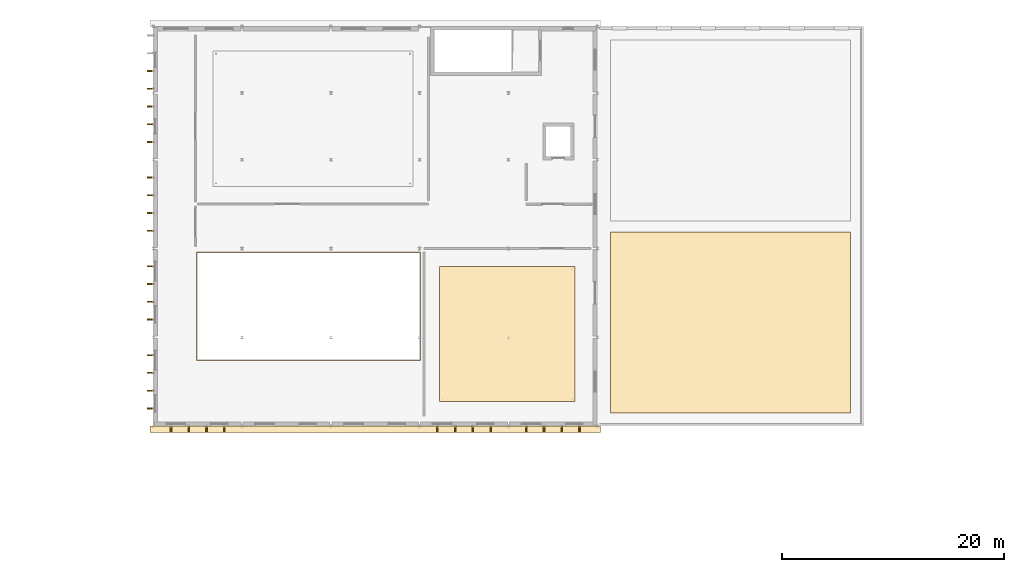
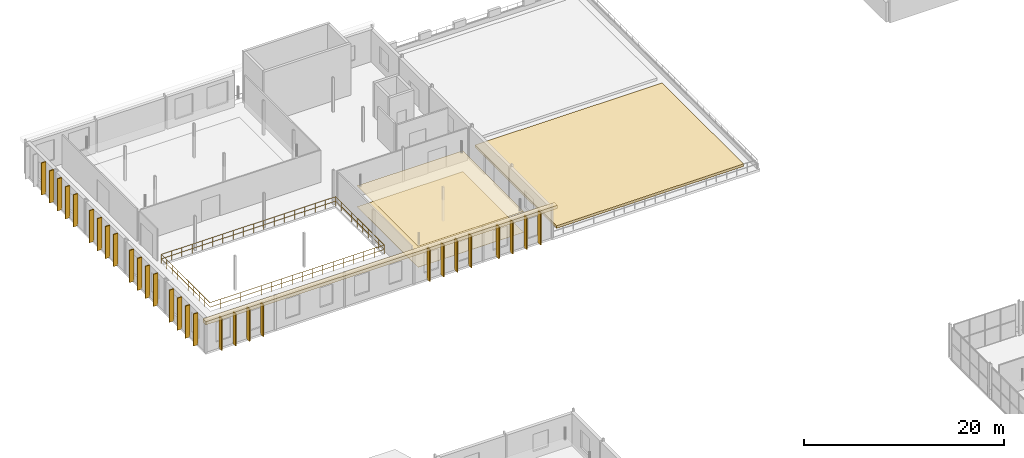
# One storey, part 62 of 67: 33 coverings, 29 shading devices, 1 railing.
"""IFC4 building model written with IfcOpenShell, lengths in metres."""

from ifc_helpers import new_model, si_unit, direction, frame, origin, origin_2d, place, context, subcontext, project, spatial, polyline, rectangle, circle, outline, extrude, material, layer, layer_set, type_object, element, save


model = new_model("IFC4")

# Units and contexts
model_context = context("Model", 3, precision=1e-05, world=origin(), true_north=direction((0.0, 1.0)))
body_context = subcontext(model_context, "Body", "Model", "MODEL_VIEW")
ifc_project = project(units=[si_unit("LENGTHUNIT", "METRE"), si_unit("AREAUNIT", "SQUARE_METRE"), si_unit("VOLUMEUNIT", "CUBIC_METRE"), si_unit("PLANEANGLEUNIT", "RADIAN"), si_unit("MASSUNIT", "GRAM", prefix="KILO")], contexts=[model_context])

# Site, building, storey
site_placement = place(None, origin())
site = spatial("IfcSite", under=ifc_project, at=site_placement, CompositionType="ELEMENT")
building_placement = place(site_placement, origin())
building = spatial("IfcBuilding", under=site, at=building_placement, Name="Sundkrona Museum", CompositionType="ELEMENT")
storey_placement = place(building_placement, frame((0.0, 0.0, 21.800048828125)))
storey = spatial("IfcBuildingStorey", under=building, at=storey_placement, Name="L04", CompositionType="ELEMENT", Elevation=21.800048828125)

# Coverings
ifc_material_1 = material(Name="Perforated Acoustic Gypsum and Mineral Wool Ceiling", Category="other")
ifc_layer_1 = layer(ifc_material_1, 0.0400390625)
ifc_layer_set_1 = layer_set([ifc_layer_1], Name="Perforated Acoustic Gypsum and Mineral Wool Ceiling")
covering_type_1 = type_object("IfcCoveringType", Name="COV-CEIL-AC", PredefinedType="CEILING", material=ifc_layer_set_1)
covering_1_placement = place(storey_placement, frame((0.0, 0.0, 2.550048828125)))
element("IfcCovering", 1, at=covering_1_placement, inside=storey, type_object=covering_type_1, Name="L04 Botanical Illustration Gallery Acoustic Ceiling", PredefinedType="CEILING", context=body_context, shape_type="SweptSolid", body=[
    extrude(outline(polyline([(41.800048828125, 80.199951171875), (54.0, 80.199951171875), (54.0, 92.39990234375), (41.800048828125, 92.39990234375), (41.800048828125, 80.199951171875)])), origin(), (0.0, 0.0, 1.0), 0.039794921875),
])
ifc_material_2 = material(Name="Frost-Resistant Vitrified Stoneware Mosaic Cladding", Category="masonry")
ifc_layer_2 = layer(ifc_material_2, 0.044921875)
ifc_layer_set_2 = layer_set([ifc_layer_2], Name="Frost-Resistant Vitrified Stoneware Mosaic Cladding")
covering_type_2 = type_object("IfcCoveringType", Name="COV-CLD-MOS", PredefinedType="CLADDING", material=ifc_layer_set_2)
for number, where, z_axis, x_axis, name in (
    (2, (17.60009765625, 77.7451171875, 0.0), (0.0, 0.0, 1.0), (1.0, 0.0, 0.0), "L04 Vitrified Ceramic Brise-Soleil Casing S-133"),
    (3, (19.199951171875, 77.7451171875, 0.0), (0.0, 0.0, 1.0), (1.0, 0.0, 0.0), "L04 Vitrified Ceramic Brise-Soleil Casing S-134"),
    (4, (20.800048828125, 77.7451171875, 0.0), (0.0, 0.0, 1.0), (1.0, 0.0, 0.0), "L04 Vitrified Ceramic Brise-Soleil Casing S-135"),
    (5, (22.39990234375, 77.7451171875, 0.0), (0.0, 0.0, 1.0), (1.0, 0.0, 0.0), "L04 Vitrified Ceramic Brise-Soleil Casing S-136"),
    (6, (41.60009765625, 77.7451171875, 0.0), (0.0, 0.0, 1.0), (1.0, 0.0, 0.0), "L04 Vitrified Ceramic Brise-Soleil Casing S-137"),
    (7, (43.199951171875, 77.7451171875, 0.0), (0.0, 0.0, 1.0), (1.0, 0.0, 0.0), "L04 Vitrified Ceramic Brise-Soleil Casing S-138"),
    (8, (44.800048828125, 77.7451171875, 0.0), (0.0, 0.0, 1.0), (1.0, 0.0, 0.0), "L04 Vitrified Ceramic Brise-Soleil Casing S-139"),
    (9, (46.39990234375, 77.7451171875, 0.0), (0.0, 0.0, 1.0), (1.0, 0.0, 0.0), "L04 Vitrified Ceramic Brise-Soleil Casing S-140"),
    (10, (49.60009765625, 77.7451171875, 0.0), (0.0, 0.0, 1.0), (1.0, 0.0, 0.0), "L04 Vitrified Ceramic Brise-Soleil Casing S-141"),
    (11, (51.199951171875, 77.7451171875, 0.0), (0.0, 0.0, 1.0), (1.0, 0.0, 0.0), "L04 Vitrified Ceramic Brise-Soleil Casing S-142"),
    (12, (52.800048828125, 77.7451171875, 0.0), (0.0, 0.0, 1.0), (1.0, 0.0, 0.0), "L04 Vitrified Ceramic Brise-Soleil Casing S-143"),
    (13, (54.39990234375, 77.7451171875, 0.0), (0.0, 0.0, 1.0), (1.0, 0.0, 0.0), "L04 Vitrified Ceramic Brise-Soleil Casing S-144"),
):
    element("IfcCovering", number, at=place(storey_placement, frame(where, z_axis=z_axis, x_axis=x_axis)), inside=storey, type_object=covering_type_2, Name=name, PredefinedType="CLADDING", context=body_context, shape_type="SweptSolid", body=[
        extrude(rectangle(XDim=0.110107421875, YDim=0.530029296875, at=origin_2d()), origin(), (0.0, 0.0, 1.0), 3.919921875),
    ])
for number, where, z_axis, x_axis, name in (
    (14, (15.7451171875, 79.60009765625, 0.0), (0.0, 0.0, 1.0), (1.0, 0.0, 0.0), "L04 Vitrified Ceramic Brise-Soleil Casing W-237"),
    (15, (15.7451171875, 81.199951171875, 0.0), (0.0, 0.0, 1.0), (1.0, 0.0, 0.0), "L04 Vitrified Ceramic Brise-Soleil Casing W-238"),
    (16, (15.7451171875, 82.800048828125, 0.0), (0.0, 0.0, 1.0), (1.0, 0.0, 0.0), "L04 Vitrified Ceramic Brise-Soleil Casing W-239"),
    (17, (15.7451171875, 84.39990234375, 0.0), (0.0, 0.0, 1.0), (1.0, 0.0, 0.0), "L04 Vitrified Ceramic Brise-Soleil Casing W-240"),
    (18, (15.7451171875, 87.60009765625, 0.0), (0.0, 0.0, 1.0), (1.0, 0.0, 0.0), "L04 Vitrified Ceramic Brise-Soleil Casing W-241"),
    (19, (15.7451171875, 89.199951171875, 0.0), (0.0, 0.0, 1.0), (1.0, 0.0, 0.0), "L04 Vitrified Ceramic Brise-Soleil Casing W-242"),
    (20, (15.7451171875, 90.800048828125, 0.0), (0.0, 0.0, 1.0), (1.0, 0.0, 0.0), "L04 Vitrified Ceramic Brise-Soleil Casing W-243"),
    (21, (15.7451171875, 92.39990234375, 0.0), (0.0, 0.0, 1.0), (1.0, 0.0, 0.0), "L04 Vitrified Ceramic Brise-Soleil Casing W-244"),
    (22, (15.7451171875, 95.60009765625, 0.0), (0.0, 0.0, 1.0), (1.0, 0.0, 0.0), "L04 Vitrified Ceramic Brise-Soleil Casing W-245"),
    (23, (15.7451171875, 97.199951171875, 0.0), (0.0, 0.0, 1.0), (1.0, 0.0, 0.0), "L04 Vitrified Ceramic Brise-Soleil Casing W-246"),
    (24, (15.7451171875, 98.800048828125, 0.0), (0.0, 0.0, 1.0), (1.0, 0.0, 0.0), "L04 Vitrified Ceramic Brise-Soleil Casing W-247"),
    (25, (15.7451171875, 100.39990234375, 0.0), (0.0, 0.0, 1.0), (1.0, 0.0, 0.0), "L04 Vitrified Ceramic Brise-Soleil Casing W-248"),
    (26, (15.7451171875, 103.60009765625, 0.0), (0.0, 0.0, 1.0), (1.0, 0.0, 0.0), "L04 Vitrified Ceramic Brise-Soleil Casing W-249"),
    (27, (15.7451171875, 105.199951171875, 0.0), (0.0, 0.0, 1.0), (1.0, 0.0, 0.0), "L04 Vitrified Ceramic Brise-Soleil Casing W-250"),
    (28, (15.7451171875, 106.800048828125, 0.0), (0.0, 0.0, 1.0), (1.0, 0.0, 0.0), "L04 Vitrified Ceramic Brise-Soleil Casing W-251"),
    (29, (15.7451171875, 108.39990234375, 0.0), (0.0, 0.0, 1.0), (1.0, 0.0, 0.0), "L04 Vitrified Ceramic Brise-Soleil Casing W-252"),
    (30, (15.7451171875, 110.0, 0.0), (0.0, 0.0, 1.0), (1.0, 0.0, 0.0), "L04 Vitrified Ceramic Brise-Soleil Casing W-253"),
):
    element("IfcCovering", number, at=place(storey_placement, frame(where, z_axis=z_axis, x_axis=x_axis)), inside=storey, type_object=covering_type_2, Name=name, PredefinedType="CLADDING", context=body_context, shape_type="SweptSolid", body=[
        extrude(rectangle(XDim=0.530029296875, YDim=0.110107421875, at=origin_2d()), origin(), (0.0, 0.0, 1.0), 3.919921875),
    ])
covering_2_placement = place(storey_placement, frame((36.0, 77.719970703125, 3.820068359375), z_axis=(0.0, 0.0, 1.0), x_axis=(1.0, 0.0, 0.0)))
element("IfcCovering", 31, at=covering_2_placement, inside=storey, type_object=covering_type_2, Name="Classical Corbelled Terracotta Cornice (CRN-V3-EAVE-S)", PredefinedType="CLADDING", context=body_context, shape_type="SweptSolid", body=[
    extrude(rectangle(XDim=40.60009765625, YDim=0.6201171875, at=origin_2d()), origin(), (0.0, 0.0, 1.0), 0.39990234375),
])
ifc_material_3 = material(Name="Polished Scanian Limestone Terrazzo Flooring", Category="masonry")
ifc_layer_3 = layer(ifc_material_3, 0.034912109375)
ifc_layer_set_3 = layer_set([ifc_layer_3], Name="Polished Scanian Limestone Terrazzo Flooring")
covering_type_3 = type_object("IfcCoveringType", Name="COV-FLR-TZ", PredefinedType="FLOORING", material=ifc_layer_set_3)
covering_3_placement = place(storey_placement, origin())
element("IfcCovering", 32, at=covering_3_placement, inside=storey, type_object=covering_type_3, Name="L04 Botanical Illustration Gallery Terrazzo Flooring", PredefinedType="FLOORING", context=body_context, shape_type="SweptSolid", body=[
    extrude(outline(polyline([(41.800048828125, 80.199951171875), (54.0, 80.199951171875), (54.0, 92.39990234375), (41.800048828125, 92.39990234375), (41.800048828125, 80.199951171875)])), origin(), (0.0, 0.0, 1.0), 0.034912109375),
])
ifc_material_4 = material(Name="Extensive Sedum Planting Substrate and Root-Barrier Membrane", Category="other")
ifc_layer_4 = layer(ifc_material_4, 0.300048828125)
ifc_layer_set_4 = layer_set([ifc_layer_4], Name="Extensive Sedum Planting Substrate and Root-Barrier Membrane")
covering_type_4 = type_object("IfcCoveringType", Name="COV-RF-GRN", PredefinedType="ROOFING", material=ifc_layer_set_4)
covering_4_placement = place(storey_placement, origin())
element("IfcCovering", 33, at=covering_4_placement, inside=storey, type_object=covering_type_4, Name="L04 Sedum Stormwater Roof Garden Build-Up (COV-GRN-L04-TR3A)", PredefinedType="ROOFING", context=body_context, shape_type="SweptSolid", body=[
    extrude(outline(polyline([(57.199951171875, 79.199951171875), (78.800048828125, 79.199951171875), (78.800048828125, 95.5), (57.199951171875, 95.5), (57.199951171875, 79.199951171875)])), origin(), (0.0, 0.0, 1.0), 0.300048828125),
])

# Shading devices
ifc_material_5 = material(Name="Vitrified Stoneware Ceramic on Galvanised Steel Core", Category="masonry")
ifc_layer_5 = layer(ifc_material_5, 0.080078125)
ifc_layer_set_5 = layer_set([ifc_layer_5], Name="Vitrified Stoneware Ceramic on Galvanised Steel Core")
shading_device_type = type_object("IfcShadingDeviceType", Name="FIN-CER-520", PredefinedType="USERDEFINED", material=ifc_layer_set_5)
for number, where, z_axis, x_axis, name in (
    (34, (17.60009765625, 77.739990234375, 0.0), (0.0, 0.0, 1.0), (1.0, 0.0, 0.0), "L04 Ceramic Brise-Soleil Fin S-133"),
    (35, (19.199951171875, 77.739990234375, 0.0), (0.0, 0.0, 1.0), (1.0, 0.0, 0.0), "L04 Ceramic Brise-Soleil Fin S-134"),
    (36, (20.800048828125, 77.739990234375, 0.0), (0.0, 0.0, 1.0), (1.0, 0.0, 0.0), "L04 Ceramic Brise-Soleil Fin S-135"),
    (37, (22.39990234375, 77.739990234375, 0.0), (0.0, 0.0, 1.0), (1.0, 0.0, 0.0), "L04 Ceramic Brise-Soleil Fin S-136"),
    (38, (41.60009765625, 77.739990234375, 0.0), (0.0, 0.0, 1.0), (1.0, 0.0, 0.0), "L04 Ceramic Brise-Soleil Fin S-137"),
    (39, (43.199951171875, 77.739990234375, 0.0), (0.0, 0.0, 1.0), (1.0, 0.0, 0.0), "L04 Ceramic Brise-Soleil Fin S-138"),
    (40, (44.800048828125, 77.739990234375, 0.0), (0.0, 0.0, 1.0), (1.0, 0.0, 0.0), "L04 Ceramic Brise-Soleil Fin S-139"),
    (41, (46.39990234375, 77.739990234375, 0.0), (0.0, 0.0, 1.0), (1.0, 0.0, 0.0), "L04 Ceramic Brise-Soleil Fin S-140"),
    (42, (49.60009765625, 77.739990234375, 0.0), (0.0, 0.0, 1.0), (1.0, 0.0, 0.0), "L04 Ceramic Brise-Soleil Fin S-141"),
    (43, (51.199951171875, 77.739990234375, 0.0), (0.0, 0.0, 1.0), (1.0, 0.0, 0.0), "L04 Ceramic Brise-Soleil Fin S-142"),
    (44, (52.800048828125, 77.739990234375, 0.0), (0.0, 0.0, 1.0), (1.0, 0.0, 0.0), "L04 Ceramic Brise-Soleil Fin S-143"),
    (45, (54.39990234375, 77.739990234375, 0.0), (0.0, 0.0, 1.0), (1.0, 0.0, 0.0), "L04 Ceramic Brise-Soleil Fin S-144"),
):
    element("IfcShadingDevice", number, at=place(storey_placement, frame(where, z_axis=z_axis, x_axis=x_axis)), inside=storey, type_object=shading_device_type, Name=name, ObjectType="SOLAR FIN", PredefinedType="USERDEFINED", context=body_context, shape_type="SweptSolid", body=[
        extrude(rectangle(XDim=0.080078125, YDim=0.52001953125, at=origin_2d()), origin(), (0.0, 0.0, 1.0), 3.919921875),
    ])
for number, where, z_axis, x_axis, name in (
    (46, (15.739990234375, 79.60009765625, 0.0), (0.0, 0.0, 1.0), (1.0, 0.0, 0.0), "L04 Ceramic Brise-Soleil Fin W-237"),
    (47, (15.739990234375, 81.199951171875, 0.0), (0.0, 0.0, 1.0), (1.0, 0.0, 0.0), "L04 Ceramic Brise-Soleil Fin W-238"),
    (48, (15.739990234375, 82.800048828125, 0.0), (0.0, 0.0, 1.0), (1.0, 0.0, 0.0), "L04 Ceramic Brise-Soleil Fin W-239"),
    (49, (15.739990234375, 84.39990234375, 0.0), (0.0, 0.0, 1.0), (1.0, 0.0, 0.0), "L04 Ceramic Brise-Soleil Fin W-240"),
    (50, (15.739990234375, 87.60009765625, 0.0), (0.0, 0.0, 1.0), (1.0, 0.0, 0.0), "L04 Ceramic Brise-Soleil Fin W-241"),
    (51, (15.739990234375, 89.199951171875, 0.0), (0.0, 0.0, 1.0), (1.0, 0.0, 0.0), "L04 Ceramic Brise-Soleil Fin W-242"),
    (52, (15.739990234375, 90.800048828125, 0.0), (0.0, 0.0, 1.0), (1.0, 0.0, 0.0), "L04 Ceramic Brise-Soleil Fin W-243"),
    (53, (15.739990234375, 92.39990234375, 0.0), (0.0, 0.0, 1.0), (1.0, 0.0, 0.0), "L04 Ceramic Brise-Soleil Fin W-244"),
    (54, (15.739990234375, 95.60009765625, 0.0), (0.0, 0.0, 1.0), (1.0, 0.0, 0.0), "L04 Ceramic Brise-Soleil Fin W-245"),
    (55, (15.739990234375, 97.199951171875, 0.0), (0.0, 0.0, 1.0), (1.0, 0.0, 0.0), "L04 Ceramic Brise-Soleil Fin W-246"),
    (56, (15.739990234375, 98.800048828125, 0.0), (0.0, 0.0, 1.0), (1.0, 0.0, 0.0), "L04 Ceramic Brise-Soleil Fin W-247"),
    (57, (15.739990234375, 100.39990234375, 0.0), (0.0, 0.0, 1.0), (1.0, 0.0, 0.0), "L04 Ceramic Brise-Soleil Fin W-248"),
    (58, (15.739990234375, 103.60009765625, 0.0), (0.0, 0.0, 1.0), (1.0, 0.0, 0.0), "L04 Ceramic Brise-Soleil Fin W-249"),
    (59, (15.739990234375, 105.199951171875, 0.0), (0.0, 0.0, 1.0), (1.0, 0.0, 0.0), "L04 Ceramic Brise-Soleil Fin W-250"),
    (60, (15.739990234375, 106.800048828125, 0.0), (0.0, 0.0, 1.0), (1.0, 0.0, 0.0), "L04 Ceramic Brise-Soleil Fin W-251"),
    (61, (15.739990234375, 108.39990234375, 0.0), (0.0, 0.0, 1.0), (1.0, 0.0, 0.0), "L04 Ceramic Brise-Soleil Fin W-252"),
    (62, (15.739990234375, 110.0, 0.0), (0.0, 0.0, 1.0), (1.0, 0.0, 0.0), "L04 Ceramic Brise-Soleil Fin W-253"),
):
    element("IfcShadingDevice", number, at=place(storey_placement, frame(where, z_axis=z_axis, x_axis=x_axis)), inside=storey, type_object=shading_device_type, Name=name, ObjectType="SOLAR FIN", PredefinedType="USERDEFINED", context=body_context, shape_type="SweptSolid", body=[
        extrude(rectangle(XDim=0.52001953125, YDim=0.080078125, at=origin_2d()), origin(), (0.0, 0.0, 1.0), 3.919921875),
    ])

# Railing
ifc_material_6 = material(Name="Painted Steel S355J2 and Laminated Glass Balustrade", Category="steel")
railing_type = type_object("IfcRailingType", Name="RL-GUARD-1100", PredefinedType="BALUSTRADE", material=ifc_material_6)
railing_placement = place(storey_placement, frame((19.93994140625, 83.93994140625, 0.0)))
element("IfcRailing", 63, at=railing_placement, inside=storey, type_object=railing_type, Name="L04 Edge Protection Balustrade 001", PredefinedType="BALUSTRADE", context=body_context, shape_type="SweptSolid", body=[
    extrude(circle(Radius=0.02392578125, at=origin_2d()), frame((0.0, 0.0, 1.09619140625), z_axis=(1.0, 0.0, 0.0), x_axis=(0.0, 1.0, 0.0)), (0.0, 0.0, 1.0), 20.1201171875),
    extrude(circle(Radius=0.02392578125, at=origin_2d()), frame((0.0, 0.0, 0.56005859375), z_axis=(1.0, 0.0, 0.0), x_axis=(0.0, 1.0, 0.0)), (0.0, 0.0, 1.0), 20.1201171875),
    extrude(circle(Radius=0.02392578125, at=origin_2d()), frame((20.1201171875, 0.0, 1.09619140625), z_axis=(0.0, 1.0, 0.0), x_axis=(-1.0, 0.0, 0.0)), (0.0, 0.0, 1.0), 9.719970703125),
    extrude(circle(Radius=0.02392578125, at=origin_2d()), frame((20.1201171875, 0.0, 0.56005859375), z_axis=(0.0, 1.0, 0.0), x_axis=(-1.0, 0.0, 0.0)), (0.0, 0.0, 1.0), 9.719970703125),
    extrude(circle(Radius=0.02392578125, at=origin_2d()), frame((20.1201171875, 9.719970703125, 1.09619140625), z_axis=(-1.0, 0.0, 0.0), x_axis=(0.0, -1.0, 0.0)), (0.0, 0.0, 1.0), 20.1201171875),
    extrude(circle(Radius=0.02392578125, at=origin_2d()), frame((20.1201171875, 9.719970703125, 0.56005859375), z_axis=(-1.0, 0.0, 0.0), x_axis=(0.0, -1.0, 0.0)), (0.0, 0.0, 1.0), 20.1201171875),
    extrude(circle(Radius=0.02392578125, at=origin_2d()), frame((0.0, 9.719970703125, 1.09619140625), z_axis=(0.0, -1.0, 0.0), x_axis=(1.0, 0.0, 0.0)), (0.0, 0.0, 1.0), 9.719970703125),
    extrude(circle(Radius=0.02392578125, at=origin_2d()), frame((0.0, 9.719970703125, 0.56005859375), z_axis=(0.0, -1.0, 0.0), x_axis=(1.0, 0.0, 0.0)), (0.0, 0.0, 1.0), 9.719970703125),
    extrude(circle(Radius=0.02099609375, at=origin_2d()), origin(), (0.0, 0.0, 1.0), 1.072021484375),
    extrude(circle(Radius=0.02099609375, at=origin_2d()), frame((1.18359375, 0.0, 0.0)), (0.0, 0.0, 1.0), 1.072021484375),
    extrude(circle(Radius=0.02099609375, at=origin_2d()), frame((2.3671875, 0.0, 0.0)), (0.0, 0.0, 1.0), 1.072021484375),
    extrude(circle(Radius=0.02099609375, at=origin_2d()), frame((3.550537109375, 0.0, 0.0)), (0.0, 0.0, 1.0), 1.072021484375),
    extrude(circle(Radius=0.02099609375, at=origin_2d()), frame((4.734130859375, 0.0, 0.0)), (0.0, 0.0, 1.0), 1.072021484375),
    extrude(circle(Radius=0.02099609375, at=origin_2d()), frame((5.917724609375, 0.0, 0.0)), (0.0, 0.0, 1.0), 1.072021484375),
    extrude(circle(Radius=0.02099609375, at=origin_2d()), frame((7.101318359375, 0.0, 0.0)), (0.0, 0.0, 1.0), 1.072021484375),
    extrude(circle(Radius=0.02099609375, at=origin_2d()), frame((8.28466796875, 0.0, 0.0)), (0.0, 0.0, 1.0), 1.072021484375),
    extrude(circle(Radius=0.02099609375, at=origin_2d()), frame((9.46826171875, 0.0, 0.0)), (0.0, 0.0, 1.0), 1.072021484375),
    extrude(circle(Radius=0.02099609375, at=origin_2d()), frame((10.65185546875, 0.0, 0.0)), (0.0, 0.0, 1.0), 1.072021484375),
    extrude(circle(Radius=0.02099609375, at=origin_2d()), frame((11.83544921875, 0.0, 0.0)), (0.0, 0.0, 1.0), 1.072021484375),
    extrude(circle(Radius=0.02099609375, at=origin_2d()), frame((13.018798828125, 0.0, 0.0)), (0.0, 0.0, 1.0), 1.072021484375),
    extrude(circle(Radius=0.02099609375, at=origin_2d()), frame((14.202392578125, 0.0, 0.0)), (0.0, 0.0, 1.0), 1.072021484375),
    extrude(circle(Radius=0.02099609375, at=origin_2d()), frame((15.385986328125, 0.0, 0.0)), (0.0, 0.0, 1.0), 1.072021484375),
    extrude(circle(Radius=0.02099609375, at=origin_2d()), frame((16.569580078125, 0.0, 0.0)), (0.0, 0.0, 1.0), 1.072021484375),
    extrude(circle(Radius=0.02099609375, at=origin_2d()), frame((17.7529296875, 0.0, 0.0)), (0.0, 0.0, 1.0), 1.072021484375),
    extrude(circle(Radius=0.02099609375, at=origin_2d()), frame((18.9365234375, 0.0, 0.0)), (0.0, 0.0, 1.0), 1.072021484375),
    extrude(circle(Radius=0.02099609375, at=origin_2d()), frame((20.1201171875, 0.0, 0.0)), (0.0, 0.0, 1.0), 1.072021484375),
    extrude(circle(Radius=0.02099609375, at=origin_2d()), frame((20.1201171875, 1.080078125, 0.0)), (0.0, 0.0, 1.0), 1.072021484375),
    extrude(circle(Radius=0.02099609375, at=origin_2d()), frame((20.1201171875, 2.159912109375, 0.0)), (0.0, 0.0, 1.0), 1.072021484375),
    extrude(circle(Radius=0.02099609375, at=origin_2d()), frame((20.1201171875, 3.239990234375, 0.0)), (0.0, 0.0, 1.0), 1.072021484375),
    extrude(circle(Radius=0.02099609375, at=origin_2d()), frame((20.1201171875, 4.320068359375, 0.0)), (0.0, 0.0, 1.0), 1.072021484375),
    extrude(circle(Radius=0.02099609375, at=origin_2d()), frame((20.1201171875, 5.39990234375, 0.0)), (0.0, 0.0, 1.0), 1.072021484375),
    extrude(circle(Radius=0.02099609375, at=origin_2d()), frame((20.1201171875, 6.47998046875, 0.0)), (0.0, 0.0, 1.0), 1.072021484375),
    extrude(circle(Radius=0.02099609375, at=origin_2d()), frame((20.1201171875, 7.56005859375, 0.0)), (0.0, 0.0, 1.0), 1.072021484375),
    extrude(circle(Radius=0.02099609375, at=origin_2d()), frame((20.1201171875, 8.639892578125, 0.0)), (0.0, 0.0, 1.0), 1.072021484375),
    extrude(circle(Radius=0.02099609375, at=origin_2d()), frame((20.1201171875, 9.719970703125, 0.0)), (0.0, 0.0, 1.0), 1.072021484375),
    extrude(circle(Radius=0.02099609375, at=origin_2d()), frame((18.9365234375, 9.719970703125, 0.0)), (0.0, 0.0, 1.0), 1.072021484375),
    extrude(circle(Radius=0.02099609375, at=origin_2d()), frame((17.7529296875, 9.719970703125, 0.0)), (0.0, 0.0, 1.0), 1.072021484375),
    extrude(circle(Radius=0.02099609375, at=origin_2d()), frame((16.569580078125, 9.719970703125, 0.0)), (0.0, 0.0, 1.0), 1.072021484375),
    extrude(circle(Radius=0.02099609375, at=origin_2d()), frame((15.385986328125, 9.719970703125, 0.0)), (0.0, 0.0, 1.0), 1.072021484375),
    extrude(circle(Radius=0.02099609375, at=origin_2d()), frame((14.202392578125, 9.719970703125, 0.0)), (0.0, 0.0, 1.0), 1.072021484375),
    extrude(circle(Radius=0.02099609375, at=origin_2d()), frame((13.018798828125, 9.719970703125, 0.0)), (0.0, 0.0, 1.0), 1.072021484375),
    extrude(circle(Radius=0.02099609375, at=origin_2d()), frame((11.83544921875, 9.719970703125, 0.0)), (0.0, 0.0, 1.0), 1.072021484375),
    extrude(circle(Radius=0.02099609375, at=origin_2d()), frame((10.65185546875, 9.719970703125, 0.0)), (0.0, 0.0, 1.0), 1.072021484375),
    extrude(circle(Radius=0.02099609375, at=origin_2d()), frame((9.46826171875, 9.719970703125, 0.0)), (0.0, 0.0, 1.0), 1.072021484375),
    extrude(circle(Radius=0.02099609375, at=origin_2d()), frame((8.28466796875, 9.719970703125, 0.0)), (0.0, 0.0, 1.0), 1.072021484375),
    extrude(circle(Radius=0.02099609375, at=origin_2d()), frame((7.101318359375, 9.719970703125, 0.0)), (0.0, 0.0, 1.0), 1.072021484375),
    extrude(circle(Radius=0.02099609375, at=origin_2d()), frame((5.917724609375, 9.719970703125, 0.0)), (0.0, 0.0, 1.0), 1.072021484375),
    extrude(circle(Radius=0.02099609375, at=origin_2d()), frame((4.734130859375, 9.719970703125, 0.0)), (0.0, 0.0, 1.0), 1.072021484375),
    extrude(circle(Radius=0.02099609375, at=origin_2d()), frame((3.550537109375, 9.719970703125, 0.0)), (0.0, 0.0, 1.0), 1.072021484375),
    extrude(circle(Radius=0.02099609375, at=origin_2d()), frame((2.3671875, 9.719970703125, 0.0)), (0.0, 0.0, 1.0), 1.072021484375),
    extrude(circle(Radius=0.02099609375, at=origin_2d()), frame((1.18359375, 9.719970703125, 0.0)), (0.0, 0.0, 1.0), 1.072021484375),
    extrude(circle(Radius=0.02099609375, at=origin_2d()), frame((0.0, 9.719970703125, 0.0)), (0.0, 0.0, 1.0), 1.072021484375),
    extrude(circle(Radius=0.02099609375, at=origin_2d()), frame((0.0, 8.639892578125, 0.0)), (0.0, 0.0, 1.0), 1.072021484375),
    extrude(circle(Radius=0.02099609375, at=origin_2d()), frame((0.0, 7.56005859375, 0.0)), (0.0, 0.0, 1.0), 1.072021484375),
    extrude(circle(Radius=0.02099609375, at=origin_2d()), frame((0.0, 6.47998046875, 0.0)), (0.0, 0.0, 1.0), 1.072021484375),
    extrude(circle(Radius=0.02099609375, at=origin_2d()), frame((0.0, 5.39990234375, 0.0)), (0.0, 0.0, 1.0), 1.072021484375),
    extrude(circle(Radius=0.02099609375, at=origin_2d()), frame((0.0, 4.320068359375, 0.0)), (0.0, 0.0, 1.0), 1.072021484375),
    extrude(circle(Radius=0.02099609375, at=origin_2d()), frame((0.0, 3.239990234375, 0.0)), (0.0, 0.0, 1.0), 1.072021484375),
    extrude(circle(Radius=0.02099609375, at=origin_2d()), frame((0.0, 2.159912109375, 0.0)), (0.0, 0.0, 1.0), 1.072021484375),
    extrude(circle(Radius=0.02099609375, at=origin_2d()), frame((0.0, 1.080078125, 0.0)), (0.0, 0.0, 1.0), 1.072021484375),
])

save(model, "model.ifc")
